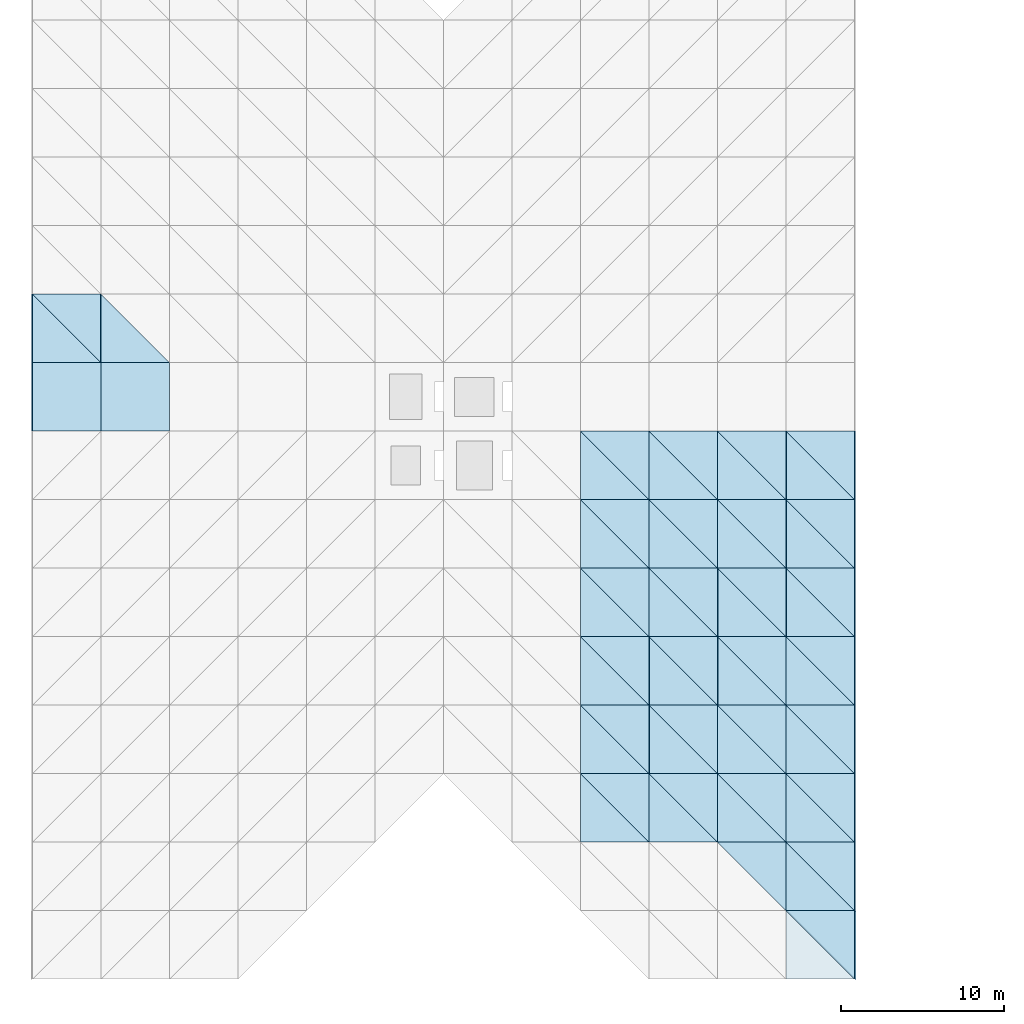
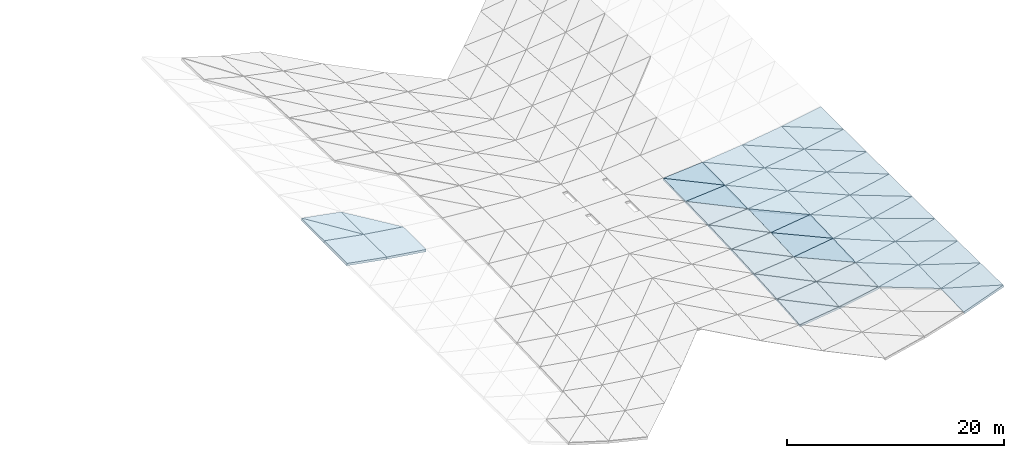
# One storey, part 7 of 31: 58 slabs.
"""IFC4 building model written with IfcOpenShell, lengths in metres."""

from ifc_helpers import new_model, si_unit, direction, frame, origin, place, context, subcontext, project, spatial, polyline, outline, extrude, material, layer, layer_set, type_object, element, save


model = new_model("IFC4")

# Units and contexts
model_context = context("Model", 3, precision=1e-05, world=origin(), true_north=direction((0.0, 1.0)))
body_context = subcontext(model_context, "Body", "Model", "MODEL_VIEW")
ifc_project = project(units=[si_unit("LENGTHUNIT", "METRE"), si_unit("AREAUNIT", "SQUARE_METRE"), si_unit("VOLUMEUNIT", "CUBIC_METRE"), si_unit("PLANEANGLEUNIT", "RADIAN"), si_unit("MASSUNIT", "GRAM", prefix="KILO")], contexts=[model_context])

# Site, building, storey
site_placement = place(None, origin())
site = spatial("IfcSite", under=ifc_project, at=site_placement, CompositionType="ELEMENT")
building_placement = place(site_placement, origin())
building = spatial("IfcBuilding", under=site, at=building_placement, Name="Cumbredor Promenade Congress Hotel", CompositionType="ELEMENT")
storey_placement = place(building_placement, frame((0.0, 0.0, 31.919921875)))
storey = spatial("IfcBuildingStorey", under=building, at=storey_placement, Name="L09", CompositionType="ELEMENT", Elevation=31.919921875)

# Slabs
ifc_material = material(Name="Concrete C40/50", Category="concrete")
ifc_layer = layer(ifc_material, 0.25, Name="Concrete C40/50", Category="concrete")
ifc_layer_set = layer_set([ifc_layer], Name="Concrete C40/50")
slab_type = type_object("IfcSlabType", Name="Catenary Space Frame Roof Deck 250mm", PredefinedType="ROOF", material=ifc_layer_set)
slab_1_placement = place(storey_placement, frame((8.39990234375, 33.60009765625, 3.525634765625), z_axis=(0.175727262996, 0.0, 0.984438890455), x_axis=(0.984438890455, 0.0, -0.175727262996)))
element("IfcSlab", 1, at=slab_1_placement, inside=storey, type_object=slab_type, Name="Plenary Congress Hall Sweeping Roof Deck Facet 4.9", PredefinedType="ROOF", context=body_context, shape_type="SweptSolid", body=[
    extrude(outline(polyline([(0.0, 0.0), (4.266588158214256, 0.0), (4.266588158214256, 4.199951171875), (0.0, 4.199951171875), (0.0, 0.0)])), origin(), (0.0, 0.0, -1.0), 0.25),
])
slab_2_placement = place(storey_placement, frame((8.39990234375, 37.800048828125, 3.525634765625), z_axis=(0.175726910534, -0.002002865318, 0.98443691593), x_axis=(0.984438890455, 0.0, -0.175727262996)))
element("IfcSlab", 2, at=slab_2_placement, inside=storey, type_object=slab_type, Name="Plenary Congress Hall Sweeping Roof Deck Facet 4.10.1", PredefinedType="ROOF", context=body_context, shape_type="SweptSolid", body=[
    extrude(outline(polyline([(0.0, 0.0), (4.266588158214256, 2.168404344971009e-19), (-0.0015015757336101292, 4.199959595888316), (0.0, 0.0)])), origin(), (0.0, 0.0, -1.0), 0.25),
])
slab_3_placement = place(storey_placement, frame((12.60009765625, 37.800048828125, 2.77587890625), z_axis=(0.18093150329, 0.003373010813, 0.983489915513), x_axis=(0.0, 0.999994118856, -0.003429614196)))
element("IfcSlab", 3, at=slab_3_placement, inside=storey, type_object=slab_type, Name="Plenary Congress Hall Sweeping Roof Deck Facet 4.10.2", PredefinedType="ROOF", context=body_context, shape_type="SweptSolid", body=[
    extrude(outline(polyline([(0.0, 0.0), (4.199975872538156, 0.0), (4.197325792232955, 4.270679896454604), (0.0, 0.0)])), origin(), (0.0, 0.0, -1.0), 0.25),
])
slab_4_placement = place(storey_placement, frame((12.60009765625, 33.60009765625, 2.77587890625), z_axis=(0.144545080344, 0.0, 0.989498216142), x_axis=(0.989498216142, 0.0, -0.144545080344)))
element("IfcSlab", 4, at=slab_4_placement, inside=storey, type_object=slab_type, Name="Plenary Congress Hall Sweeping Roof Deck Facet 5.9", PredefinedType="ROOF", context=body_context, shape_type="SweptSolid", body=[
    extrude(outline(polyline([(0.0, 0.0), (4.2445262693351005, 0.0), (4.2445262693351005, 4.199951171874999), (0.0, 4.199951171874999), (0.0, 0.0)])), origin(), (0.0, 0.0, -1.0), 0.25),
])
slab_5_placement = place(storey_placement, frame((12.60009765625, 37.800048828125, 2.77587890625), z_axis=(0.144544248015, 0.003393597546, 0.989492518345), x_axis=(0.989498216142, 0.0, -0.144545080344)))
element("IfcSlab", 5, at=slab_5_placement, inside=storey, type_object=slab_type, Name="Plenary Congress Hall Sweeping Roof Deck Facet 5.10.1", PredefinedType="ROOF", context=body_context, shape_type="SweptSolid", body=[
    extrude(outline(polyline([(0.0, 0.0), (4.2445262693351005, -4.336808689942018e-19), (0.002082070249101606, 4.199975356461764), (0.0, 0.0)])), origin(), (0.0, 0.0, -1.0), 0.25),
])
slab_6_placement = place(storey_placement, frame((42.0, 8.39990234375, 0.124267578125), z_axis=(-0.131677267955, -0.081999218886, 0.987895351343), x_axis=(0.99123343534, 0.0, 0.132122203525)))
element("IfcSlab", 6, at=slab_6_placement, inside=storey, type_object=slab_type, Name="Plenary Congress Hall Sweeping Roof Deck Facet 12.3.1", PredefinedType="ROOF", context=body_context, shape_type="SweptSolid", body=[
    extrude(outline(polyline([(0.0, 0.0), (4.237095947469426, 0.0), (0.046062135408494076, 4.214387711255366), (0.0, 0.0)])), origin(), (0.0, 0.0, -1.0), 0.25),
])
slab_7_placement = place(storey_placement, frame((46.199951171875, 8.39990234375, 0.68408203125), z_axis=(-0.117263600303, -0.067439928458, 0.99080830845), x_axis=(0.0, 0.997691557388, 0.067908440694)))
element("IfcSlab", 7, at=slab_7_placement, inside=storey, type_object=slab_type, Name="Plenary Congress Hall Sweeping Roof Deck Facet 12.3.2", PredefinedType="ROOF", context=body_context, shape_type="SweptSolid", body=[
    extrude(outline(polyline([(0.0, 0.0), (4.209913656579363, -6.938893903907228e-18), (4.176158386742171, 4.229128671896996), (0.0, 0.0)])), origin(), (0.0, 0.0, -1.0), 0.25),
])
slab_8_placement = place(storey_placement, frame((42.0, 12.60009765625, 0.472900390625), z_axis=(-0.117254845515, -0.068533038391, 0.990734335658), x_axis=(0.993069192908, 0.0, 0.117531179257)))
element("IfcSlab", 8, at=slab_8_placement, inside=storey, type_object=slab_type, Name="Plenary Congress Hall Sweeping Roof Deck Facet 12.4.1", PredefinedType="ROOF", context=body_context, shape_type="SweptSolid", body=[
    extrude(outline(polyline([(0.0, 0.0), (4.229263380507655, 0.0), (0.03414602131737491, 4.209849169843121), (0.0, 0.0)])), origin(), (0.0, 0.0, -1.0), 0.25),
])
slab_9_placement = place(storey_placement, frame((46.199951171875, 12.60009765625, 0.969970703125), z_axis=(-0.105212196304, -0.056386349857, 0.992849924862), x_axis=(0.0, 0.998391201214, 0.056701052351)))
element("IfcSlab", 9, at=slab_9_placement, inside=storey, type_object=slab_type, Name="Plenary Congress Hall Sweeping Roof Deck Facet 12.4.2", PredefinedType="ROOF", context=body_context, shape_type="SweptSolid", body=[
    extrude(outline(polyline([(0.0, 0.0), (4.206718936190888, 0.0), (4.181483091846394, 4.2233918646996464), (0.0, 0.0)])), origin(), (0.0, 0.0, -1.0), 0.25),
])
slab_10_placement = place(storey_placement, frame((42.0, 16.800048828125, 0.763427734375), z_axis=(-0.105220647526, -0.054947919059, 0.992929676022), x_axis=(0.994432042203, 0.0, 0.105379853103)))
element("IfcSlab", 10, at=slab_10_placement, inside=storey, type_object=slab_type, Name="Plenary Congress Hall Sweeping Roof Deck Facet 12.5.1", PredefinedType="ROOF", context=body_context, shape_type="SweptSolid", body=[
    extrude(outline(polyline([(0.0, 0.0), (4.223467259332188, -3.469446951953614e-18), (0.024492583045492296, 4.20630596693684), (0.0, 0.0)])), origin(), (0.0, 0.0, -1.0), 0.25),
])
slab_11_placement = place(storey_placement, frame((46.199951171875, 16.800048828125, 1.20849609375), z_axis=(-0.095492562031, -0.045145091372, 0.994405898676), x_axis=(0.0, 0.998971053032, 0.04535234508)))
element("IfcSlab", 11, at=slab_11_placement, inside=storey, type_object=slab_type, Name="Plenary Congress Hall Sweeping Roof Deck Facet 12.5.2", PredefinedType="ROOF", context=body_context, shape_type="SweptSolid", body=[
    extrude(outline(polyline([(0.0, 0.0), (4.204277150101552, 0.0), (4.185985628111122, 4.219232458733763), (0.0, 0.0)])), origin(), (0.0, 0.0, -1.0), 0.25),
])
slab_12_placement = place(storey_placement, frame((42.0, 21.0, 0.995849609375), z_axis=(-0.095508545961, -0.041279117322, 0.994572346349), x_axis=(0.995420789287, 0.0, 0.095590021735)))
element("IfcSlab", 12, at=slab_12_placement, inside=storey, type_object=slab_type, Name="Plenary Congress Hall Sweeping Roof Deck Facet 12.6.1", PredefinedType="ROOF", context=body_context, shape_type="SweptSolid", body=[
    extrude(outline(polyline([(0.0, 0.0), (4.219272107912606, 0.0), (0.016662909062153147, 4.2035340373409245), (0.0, 0.0)])), origin(), (0.0, 0.0, -1.0), 0.25),
])
slab_13_placement = place(storey_placement, frame((46.199951171875, 21.0, 1.399169921875), z_axis=(-0.088192852342, -0.033911424851, 0.995526009736), x_axis=(0.0, 0.999420332288, 0.034044080377)))
element("IfcSlab", 13, at=slab_13_placement, inside=storey, type_object=slab_type, Name="Plenary Congress Hall Sweeping Roof Deck Facet 12.6.2", PredefinedType="ROOF", context=body_context, shape_type="SweptSolid", body=[
    extrude(outline(polyline([(0.0, 0.0), (4.202387160023631, 0.0), (4.189720368399084, 4.21638064173148), (0.0, 0.0)])), origin(), (0.0, 0.0, -1.0), 0.25),
])
slab_14_placement = place(storey_placement, frame((42.0, 25.199951171875, 1.170166015625), z_axis=(-0.088210108531, -0.027551188754, 0.995720798593), x_axis=(0.996098923772, 0.0, 0.088243606338)))
element("IfcSlab", 14, at=slab_14_placement, inside=storey, type_object=slab_type, Name="Plenary Congress Hall Sweeping Roof Deck Facet 12.7.1", PredefinedType="ROOF", context=body_context, shape_type="SweptSolid", body=[
    extrude(outline(polyline([(0.0, 0.0), (4.216399668387478, 1.734723475976807e-18), (0.010254872220896265, 4.201546104200756), (0.0, 0.0)])), origin(), (0.0, 0.0, -1.0), 0.25),
])
slab_15_placement = place(storey_placement, frame((46.199951171875, 25.199951171875, 1.542236328125), z_axis=(-0.083335710744, -0.022643685129, 0.996264233443), x_axis=(0.0, 0.999741805542, 0.022722725453)))
element("IfcSlab", 15, at=slab_15_placement, inside=storey, type_object=slab_type, Name="Plenary Congress Hall Sweeping Roof Deck Facet 12.7.2", PredefinedType="ROOF", context=body_context, shape_type="SweptSolid", body=[
    extrude(outline(polyline([(0.0, 0.0), (4.201035856051706, 0.0), (4.193052945425053, 4.2146115727200835), (0.0, 0.0)])), origin(), (0.0, 0.0, -1.0), 0.25),
])
slab_16_placement = place(storey_placement, frame((42.0, 29.39990234375, 1.286376953125), z_axis=(-0.083349163733, -0.013784536426, 0.996425061638), x_axis=(0.99651974221, 0.0, 0.083357083592)))
element("IfcSlab", 16, at=slab_16_placement, inside=storey, type_object=slab_type, Name="Plenary Congress Hall Sweeping Roof Deck Facet 12.8.1", PredefinedType="ROOF", context=body_context, shape_type="SweptSolid", body=[
    extrude(outline(polyline([(0.0, 0.0), (4.214619132942873, 0.0), (0.00484350241577144, 4.200594416166595), (0.0, 0.0)])), origin(), (0.0, 0.0, -1.0), 0.25),
])
slab_17_placement = place(storey_placement, frame((46.199951171875, 29.39990234375, 1.6376953125), z_axis=(-0.080877602132, -0.011296716119, 0.99666002111), x_axis=(0.0, 0.999935769912, 0.011333845334)))
element("IfcSlab", 17, at=slab_17_placement, inside=storey, type_object=slab_type, Name="Plenary Congress Hall Sweeping Roof Deck Facet 12.8.2", PredefinedType="ROOF", context=body_context, shape_type="SweptSolid", body=[
    extrude(outline(polyline([(0.0, 0.0), (4.2004651087426685, 0.0), (4.196602304033974, 4.213755262267442), (0.0, 0.0)])), origin(), (0.0, 0.0, -1.0), 0.25),
])
slab_18_placement = place(storey_placement, frame((46.199951171875, 8.39990234375, 0.68408203125), z_axis=(-0.183020140565, -0.066761410353, 0.980839712815), x_axis=(0.983032890363, 0.0, 0.183429377322)))
element("IfcSlab", 18, at=slab_18_placement, inside=storey, type_object=slab_type, Name="Plenary Congress Hall Sweeping Roof Deck Facet 13.3.1", PredefinedType="ROOF", context=body_context, shape_type="SweptSolid", body=[
    extrude(outline(polyline([(0.0, 0.0), (4.272442166532426, 0.0), (0.052440381065357866, 4.2095870346492585), (0.0, 0.0)])), origin(), (0.0, 0.0, -1.0), 0.25),
])
slab_19_placement = place(storey_placement, frame((50.39990234375, 8.39990234375, 1.4677734375), z_axis=(-0.163375229639, -0.046569544587, 0.98546426209), x_axis=(0.0, 0.998885280546, 0.047203774302)))
element("IfcSlab", 19, at=slab_19_placement, inside=storey, type_object=slab_type, Name="Plenary Congress Hall Sweeping Roof Deck Facet 13.3.2", PredefinedType="ROOF", context=body_context, shape_type="SweptSolid", body=[
    extrude(outline(polyline([(0.0, 0.0), (4.204882576909791, 0.0), (4.172015105154897, 4.2571502245036825), (0.0, 0.0)])), origin(), (0.0, 0.0, -1.0), 0.25),
])
slab_20_placement = place(storey_placement, frame((46.199951171875, 12.60009765625, 0.969970703125), z_axis=(-0.163296574625, -0.055939955613, 0.984989822324), x_axis=(0.98653460261, 0.0, 0.163552676082)))
element("IfcSlab", 20, at=slab_20_placement, inside=storey, type_object=slab_type, Name="Plenary Congress Hall Sweeping Roof Deck Facet 13.4.1", PredefinedType="ROOF", context=body_context, shape_type="SweptSolid", body=[
    extrude(outline(polyline([(0.0, 0.0), (4.257277099824642, -6.938893903907228e-18), (0.03901146595028276, 4.206538043763707), (0.0, 0.0)])), origin(), (0.0, 0.0, -1.0), 0.25),
])
slab_21_placement = place(storey_placement, frame((50.39990234375, 12.60009765625, 1.666259765625), z_axis=(-0.146629321046, -0.038898138851, 0.988426414562), x_axis=(0.0, 0.999226545314, 0.039323162889)))
element("IfcSlab", 21, at=slab_21_placement, inside=storey, type_object=slab_type, Name="Plenary Congress Hall Sweeping Roof Deck Facet 13.4.2", PredefinedType="ROOF", context=body_context, shape_type="SweptSolid", body=[
    extrude(outline(polyline([(0.0, 0.0), (4.203202158279976, 0.0), (4.178701984526934, 4.245842318794649), (0.0, 0.0)])), origin(), (0.0, 0.0, -1.0), 0.25),
])
slab_22_placement = place(storey_placement, frame((46.199951171875, 16.800048828125, 1.20849609375), z_axis=(-0.146592635163, -0.044862401278, 0.988179115478), x_axis=(0.989175041018, 0.0, 0.14674037695)))
element("IfcSlab", 22, at=slab_22_placement, inside=storey, type_object=slab_type, Name="Plenary Congress Hall Sweeping Roof Deck Facet 13.5.1", PredefinedType="ROOF", context=body_context, shape_type="SweptSolid", body=[
    extrude(outline(polyline([(0.0, 0.0), (4.245913006007242, 0.0), (0.027979549413633405, 4.204184046837226), (0.0, 0.0)])), origin(), (0.0, 0.0, -1.0), 0.25),
])
slab_23_placement = place(storey_placement, frame((50.39990234375, 16.800048828125, 1.83154296875), z_axis=(-0.133189309052, -0.031209946176, 0.990599085006), x_axis=(0.0, 0.999504050995, 0.031490507216)))
element("IfcSlab", 23, at=slab_23_placement, inside=storey, type_object=slab_type, Name="Plenary Congress Hall Sweeping Roof Deck Facet 13.5.2", PredefinedType="ROOF", context=body_context, shape_type="SweptSolid", body=[
    extrude(outline(polyline([(0.0, 0.0), (4.202035167035372, -3.469446951953614e-18), (4.184252563717274, 4.237706529121356), (0.0, 0.0)])), origin(), (0.0, 0.0, -1.0), 0.25),
])
slab_24_placement = place(storey_placement, frame((46.199951171875, 21.0, 1.399169921875), z_axis=(-0.133178350958, -0.033740818704, 0.990517583887), x_axis=(0.991081889584, 0.0, 0.133254223717)))
element("IfcSlab", 24, at=slab_24_placement, inside=storey, type_object=slab_type, Name="Plenary Congress Hall Sweeping Roof Deck Facet 13.6.1", PredefinedType="ROOF", context=body_context, shape_type="SweptSolid", body=[
    extrude(outline(polyline([(0.0, 0.0), (4.23774383934878, 3.469446951953614e-18), (0.01906420290486114, 4.202343917256068), (0.0, 0.0)])), origin(), (0.0, 0.0, -1.0), 0.25),
])
slab_25_placement = place(storey_placement, frame((50.39990234375, 21.0, 1.9638671875), z_axis=(-0.123014035395, -0.023414767168, 0.992128668961), x_axis=(0.0, 0.999721623662, 0.02359396496)))
element("IfcSlab", 25, at=slab_25_placement, inside=storey, type_object=slab_type, Name="Plenary Congress Hall Sweeping Roof Deck Facet 13.6.2", PredefinedType="ROOF", context=body_context, shape_type="SweptSolid", body=[
    extrude(outline(polyline([(0.0, 0.0), (4.201120664460899, 0.0), (4.188834061126019, 4.232094219437486), (0.0, 0.0)])), origin(), (0.0, 0.0, -1.0), 0.25),
])
slab_26_placement = place(storey_placement, frame((46.199951171875, 25.199951171875, 1.542236328125), z_axis=(-0.12301648116, -0.022550137897, 0.992148394467), x_axis=(0.992400748769, 0.0, 0.123047770571)))
element("IfcSlab", 26, at=slab_26_placement, inside=storey, type_object=slab_type, Name="Plenary Congress Hall Sweeping Roof Deck Facet 13.7.1", PredefinedType="ROOF", context=body_context, shape_type="SweptSolid", body=[
    extrude(outline(polyline([(0.0, 0.0), (4.232112054615011, 1.734723475976807e-18), (0.011746015208269856, 4.201019435203653), (0.0, 0.0)])), origin(), (0.0, 0.0, -1.0), 0.25),
])
slab_27_placement = place(storey_placement, frame((50.39990234375, 25.199951171875, 2.06298828125), z_axis=(-0.116264124238, -0.015702006848, 0.993094205197), x_axis=(0.0, 0.999875026476, 0.015809219741)))
element("IfcSlab", 27, at=slab_27_placement, inside=storey, type_object=slab_type, Name="Plenary Congress Hall Sweeping Roof Deck Facet 13.7.2", PredefinedType="ROOF", context=body_context, shape_type="SweptSolid", body=[
    extrude(outline(polyline([(0.0, 0.0), (4.2004761201765275, 0.0), (4.192702739180912, 4.228628328713869), (0.0, 0.0)])), origin(), (0.0, 0.0, -1.0), 0.25),
])
slab_28_placement = place(storey_placement, frame((46.199951171875, 29.39990234375, 1.6376953125), z_axis=(-0.116271091919, -0.011256973705, 0.993153721096), x_axis=(0.993216653027, 0.0, 0.116278459524)))
element("IfcSlab", 28, at=slab_28_placement, inside=storey, type_object=slab_type, Name="Plenary Congress Hall Sweeping Roof Deck Facet 13.8.1", PredefinedType="ROOF", context=body_context, shape_type="SweptSolid", body=[
    extrude(outline(polyline([(0.0, 0.0), (4.228635473513123, 8.673617379884035e-19), (0.005535717677549422, 4.2004614610295326), (0.0, 0.0)])), origin(), (0.0, 0.0, -1.0), 0.25),
])
slab_29_placement = place(storey_placement, frame((50.39990234375, 29.39990234375, 2.12939453125), z_axis=(-0.112855715689, -0.007796640756, 0.99358079683), x_axis=(0.0, 0.999969213621, 0.007846770742)))
element("IfcSlab", 29, at=slab_29_placement, inside=storey, type_object=slab_type, Name="Plenary Congress Hall Sweeping Roof Deck Facet 13.8.2", PredefinedType="ROOF", context=body_context, shape_type="SweptSolid", body=[
    extrude(outline(polyline([(0.0, 0.0), (4.20032462528767, 0.0), (4.196581317175092, 4.226955557096597), (0.0, 0.0)])), origin(), (0.0, 0.0, -1.0), 0.25),
])
slab_30_placement = place(storey_placement, frame((54.60009765625, 4.199951171875, 2.375), z_axis=(-0.233152145814, -0.023169640453, 0.972164206636), x_axis=(0.0, 0.99971611374, 0.023826286498)))
element("IfcSlab", 30, at=slab_30_placement, inside=storey, type_object=slab_type, Name="Plenary Congress Hall Sweeping Roof Deck Facet 14.2.2", PredefinedType="ROOF", context=body_context, shape_type="SweptSolid", body=[
    extrude(outline(polyline([(0.0, 0.0), (4.201143818880869, 0.0), (4.1771430234480675, 4.3192321894806565), (0.0, 0.0)])), origin(), (0.0, 0.0, -1.0), 0.25),
])
slab_31_placement = place(storey_placement, frame((50.39990234375, 8.39990234375, 1.4677734375), z_axis=(-0.23296890093, -0.045904924008, 0.971400138538), x_axis=(0.972425256289, 0.0, 0.233214752816)))
element("IfcSlab", 31, at=slab_31_placement, inside=storey, type_object=slab_type, Name="Plenary Congress Hall Sweeping Roof Deck Facet 14.3.1", PredefinedType="ROOF", context=body_context, shape_type="SweptSolid", body=[
    extrude(outline(polyline([(0.0, 0.0), (4.319298871903549, -6.938893903907228e-18), (0.046289939951054286, 4.204627775090067), (0.0, 0.0)])), origin(), (0.0, 0.0, -1.0), 0.25),
])
slab_32_placement = place(storey_placement, frame((54.60009765625, 8.39990234375, 2.47509765625), z_axis=(-0.208314728917, -0.020007308207, 0.977857188619), x_axis=(0.0, 0.999790752569, 0.020456076779)))
element("IfcSlab", 32, at=slab_32_placement, inside=storey, type_object=slab_type, Name="Plenary Congress Hall Sweeping Roof Deck Facet 14.3.2", PredefinedType="ROOF", context=body_context, shape_type="SweptSolid", body=[
    extrude(outline(polyline([(0.0, 0.0), (4.201074376520038, 0.0), (4.182770782429534, 4.294406669291867), (0.0, 0.0)])), origin(), (0.0, 0.0, -1.0), 0.25),
])
slab_33_placement = place(storey_placement, frame((50.39990234375, 12.60009765625, 1.666259765625), z_axis=(-0.208202268908, -0.038461426892, 0.977329286302), x_axis=(0.978052961788, 0.0, 0.208356434838)))
element("IfcSlab", 33, at=slab_33_placement, inside=storey, type_object=slab_type, Name="Plenary Congress Hall Sweeping Roof Deck Facet 14.4.1", PredefinedType="ROOF", context=body_context, shape_type="SweptSolid", body=[
    extrude(outline(polyline([(0.0, 0.0), (4.294445675848641, 0.0), (0.034437818941718885, 4.203061077357309), (0.0, 0.0)])), origin(), (0.0, 0.0, -1.0), 0.25),
])
slab_34_placement = place(storey_placement, frame((54.60009765625, 12.60009765625, 2.56103515625), z_axis=(-0.187308905961, -0.016728040133, 0.982158615714), x_axis=(0.0, 0.999854988518, 0.017029443215)))
element("IfcSlab", 34, at=slab_34_placement, inside=storey, type_object=slab_type, Name="Plenary Congress Hall Sweeping Roof Deck Facet 14.4.2", PredefinedType="ROOF", context=body_context, shape_type="SweptSolid", body=[
    extrude(outline(polyline([(0.0, 0.0), (4.200560301350703, 0.0), (4.186919284946907, 4.27587374255185), (0.0, 0.0)])), origin(), (0.0, 0.0, -1.0), 0.25),
])
slab_35_placement = place(storey_placement, frame((50.39990234375, 16.800048828125, 1.83154296875), z_axis=(-0.18724546811, -0.030933539499, 0.981825977863), x_axis=(0.98229606197, 0.0, 0.187335118538)))
element("IfcSlab", 35, at=slab_35_placement, inside=storey, type_object=slab_type, Name="Plenary Congress Hall Sweeping Roof Deck Facet 14.5.1", PredefinedType="ROOF", context=body_context, shape_type="SweptSolid", body=[
    extrude(outline(polyline([(0.0, 0.0), (4.275895501479533, 0.0), (0.024788973204955687, 4.20196204787828), (0.0, 0.0)])), origin(), (0.0, 0.0, -1.0), 0.25),
])
slab_36_placement = place(storey_placement, frame((54.60009765625, 16.800048828125, 2.632568359375), z_axis=(-0.170324946119, -0.013459545745, 0.985296023212), x_axis=(0.0, 0.999906709682, 0.013659133685)))
element("IfcSlab", 36, at=slab_36_placement, inside=storey, type_object=slab_type, Name="Plenary Congress Hall Sweeping Roof Deck Facet 14.5.2", PredefinedType="ROOF", context=body_context, shape_type="SweptSolid", body=[
    extrude(outline(polyline([(0.0, 0.0), (4.200343023211546, 1.734723475976807e-18), (4.190425478392736, 4.262478865236186), (0.0, 0.0)])), origin(), (0.0, 0.0, -1.0), 0.25),
])
slab_37_placement = place(storey_placement, frame((50.39990234375, 21.0, 1.9638671875), z_axis=(-0.170294332802, -0.02324933361, 0.985118931247), x_axis=(0.985385283144, 0.0, 0.170340376196)))
element("IfcSlab", 37, at=slab_37_placement, inside=storey, type_object=slab_type, Name="Plenary Congress Hall Sweeping Roof Deck Facet 14.6.1", PredefinedType="ROOF", context=body_context, shape_type="SweptSolid", body=[
    extrude(outline(polyline([(0.0, 0.0), (4.2624904028373365, 0.0), (0.01688432439830721, 4.201086735232921), (0.0, 0.0)])), origin(), (0.0, 0.0, -1.0), 0.25),
])
slab_38_placement = place(storey_placement, frame((54.60009765625, 21.0, 2.68994140625), z_axis=(-0.157498883251, -0.010102556409, 0.987467488138), x_axis=(0.0, 0.999947669743, 0.010230238323)))
element("IfcSlab", 38, at=slab_38_placement, inside=storey, type_object=slab_type, Name="Plenary Congress Hall Sweeping Roof Deck Facet 14.6.2", PredefinedType="ROOF", context=body_context, shape_type="SweptSolid", body=[
    extrude(outline(polyline([(0.0, 0.0), (4.2001709679024675, 0.0), (4.193317507463266, 4.253279794679689), (0.0, 0.0)])), origin(), (0.0, 0.0, -1.0), 0.25),
])
slab_39_placement = place(storey_placement, frame((50.39990234375, 25.199951171875, 2.06298828125), z_axis=(-0.157487725214, -0.015611935615, 0.987397530822), x_axis=(0.987517883274, 0.0, 0.157506921164)))
element("IfcSlab", 39, at=slab_39_placement, inside=storey, type_object=slab_type, Name="Plenary Congress Hall Sweeping Roof Deck Facet 14.7.1", PredefinedType="ROOF", context=body_context, shape_type="SweptSolid", body=[
    extrude(outline(polyline([(0.0, 0.0), (4.2532853162879265, 0.0), (0.010459443983538113, 4.200463097826811), (0.0, 0.0)])), origin(), (0.0, 0.0, -1.0), 0.25),
])
slab_40_placement = place(storey_placement, frame((54.60009765625, 25.199951171875, 2.73291015625), z_axis=(-0.148809268192, -0.006725259348, 0.988843047499), x_axis=(0.0, 0.999976873054, 0.006800982047)))
element("IfcSlab", 40, at=slab_40_placement, inside=storey, type_object=slab_type, Name="Plenary Congress Hall Sweeping Roof Deck Facet 14.7.2", PredefinedType="ROOF", context=body_context, shape_type="SweptSolid", body=[
    extrude(outline(polyline([(0.0, 0.0), (4.200048306164646, 0.0), (4.195749540901317, 4.247487187611834), (0.0, 0.0)])), origin(), (0.0, 0.0, -1.0), 0.25),
])
slab_41_placement = place(storey_placement, frame((50.39990234375, 29.39990234375, 2.12939453125), z_axis=(-0.148808153611, -0.007759405461, 0.988835641068), x_axis=(0.988865410505, 0.0, 0.148812633562)))
element("IfcSlab", 41, at=slab_41_placement, inside=storey, type_object=slab_type, Name="Plenary Congress Hall Sweeping Roof Deck Facet 14.8.1", PredefinedType="ROOF", context=body_context, shape_type="SweptSolid", body=[
    extrude(outline(polyline([(0.0, 0.0), (4.247489362942476, -8.673617379884035e-19), (0.004904713264364401, 4.200321761673242), (0.0, 0.0)])), origin(), (0.0, 0.0, -1.0), 0.25),
])
slab_42_placement = place(storey_placement, frame((54.60009765625, 29.39990234375, 2.761474609375), z_axis=(-0.144536021854, -0.003393404413, 0.989493720644), x_axis=(0.0, 0.99999411954, 0.003429414848)))
element("IfcSlab", 42, at=slab_42_placement, inside=storey, type_object=slab_type, Name="Plenary Congress Hall Sweeping Roof Deck Facet 14.8.2", PredefinedType="ROOF", context=body_context, shape_type="SweptSolid", body=[
    extrude(outline(polyline([(0.0, 0.0), (4.200220011727414, -4.336808689942018e-19), (4.1981159786429, 4.244767324734456), (0.0, 0.0)])), origin(), (0.0, 0.0, -1.0), 0.25),
])
slab_43_placement = place(storey_placement, frame((54.60009765625, 0.0, 2.26025390625), z_axis=(-0.351098055303, -0.02557199535, 0.935989438304), x_axis=(0.936295622836, 0.0, 0.351212907874)))
element("IfcSlab", 43, at=slab_43_placement, inside=storey, type_object=slab_type, Name="Plenary Congress Hall Sweeping Roof Deck Facet 15.1.1", PredefinedType="ROOF", context=body_context, shape_type="SweptSolid", body=[
    extrude(outline(polyline([(0.0, 0.0), (4.485710569864822, 0.0), (0.040300309253162026, 4.201325076358549), (0.0, 0.0)])), origin(), (0.0, 0.0, -1.0), 0.25),
])
slab_44_placement = place(storey_placement, frame((58.800048828125, 0.0, 3.835693359375), z_axis=(-0.314533857634, 0.015558419199, 0.949118742831), x_axis=(0.0, 0.999865670213, -0.016390287682)))
element("IfcSlab", 44, at=slab_44_placement, inside=storey, type_object=slab_type, Name="Plenary Congress Hall Sweeping Roof Deck Facet 15.1.2", PredefinedType="ROOF", context=body_context, shape_type="SweptSolid", body=[
    extrude(outline(polyline([(0.0, 0.0), (4.20051542621918, 0.0), (4.223328177702881, 4.424511711569025), (0.0, 0.0)])), origin(), (0.0, 0.0, -1.0), 0.25),
])
slab_45_placement = place(storey_placement, frame((54.60009765625, 4.199951171875, 2.375), z_axis=(-0.314491464221, -0.022617347892, 0.948990818979), x_axis=(0.949233637624, 0.0, 0.314571933273)))
element("IfcSlab", 45, at=slab_45_placement, inside=storey, type_object=slab_type, Name="Plenary Congress Hall Sweeping Roof Deck Facet 15.2.1", PredefinedType="ROOF", context=body_context, shape_type="SweptSolid", body=[
    extrude(outline(polyline([(0.0, 0.0), (4.424570522371828, 3.469446951953614e-18), (0.03148791324265341, 4.201025814993352), (0.0, 0.0)])), origin(), (0.0, 0.0, -1.0), 0.25),
])
slab_46_placement = place(storey_placement, frame((58.800048828125, 4.199951171875, 3.766845703125), z_axis=(-0.281333183711, 0.013776624976, 0.959511252851), x_axis=(0.0, 0.999896940415, -0.014356481095)))
element("IfcSlab", 46, at=slab_46_placement, inside=storey, type_object=slab_type, Name="Plenary Congress Hall Sweeping Roof Deck Facet 15.2.2", PredefinedType="ROOF", context=body_context, shape_type="SweptSolid", body=[
    extrude(outline(polyline([(0.0, 0.0), (4.200384061714749, -3.469446951953614e-18), (4.2180632830635485, 4.3767264992166135), (0.0, 0.0)])), origin(), (0.0, 0.0, -1.0), 0.25),
])
slab_47_placement = place(storey_placement, frame((54.60009765625, 8.39990234375, 2.47509765625), z_axis=(-0.281305670855, -0.019630023895, 0.959417417867), x_axis=(0.959602321223, 0.0, 0.281359885383)))
element("IfcSlab", 47, at=slab_47_placement, inside=storey, type_object=slab_type, Name="Plenary Congress Hall Sweeping Roof Deck Facet 15.3.1", PredefinedType="ROOF", context=body_context, shape_type="SweptSolid", body=[
    extrude(outline(polyline([(0.0, 0.0), (4.376762205536464, 3.469446951953614e-18), (0.024179365150133258, 4.201004793540965), (0.0, 0.0)])), origin(), (0.0, 0.0, -1.0), 0.25),
])
slab_48_placement = place(storey_placement, frame((58.800048828125, 8.39990234375, 3.70654296875), z_axis=(-0.251996346228, 0.011924133956, 0.967654719679), x_axis=(0.0, 0.999924083985, -0.012321780156)))
element("IfcSlab", 48, at=slab_48_placement, inside=storey, type_object=slab_type, Name="Plenary Congress Hall Sweeping Roof Deck Facet 15.3.2", PredefinedType="ROOF", context=body_context, shape_type="SweptSolid", body=[
    extrude(outline(polyline([(0.0, 0.0), (4.20051419879778, 0.0), (4.2139911458434725, 4.340011207420151), (0.0, 0.0)])), origin(), (0.0, 0.0, -1.0), 0.25),
])
slab_49_placement = place(storey_placement, frame((54.60009765625, 12.60009765625, 2.56103515625), z_axis=(-0.251980038765, -0.0164799445, 0.967592099747), x_axis=(0.967723519995, 0.0, 0.252014263185)))
element("IfcSlab", 49, at=slab_49_placement, inside=storey, type_object=slab_type, Name="Plenary Congress Hall Sweeping Roof Deck Facet 15.4.1", PredefinedType="ROOF", context=body_context, shape_type="SweptSolid", body=[
    extrude(outline(polyline([(0.0, 0.0), (4.340032132212178, -6.938893903907228e-18), (0.018027387478831633, 4.20052161744041), (0.0, 0.0)])), origin(), (0.0, 0.0, -1.0), 0.25),
])
slab_50_placement = place(storey_placement, frame((58.800048828125, 12.60009765625, 3.65478515625), z_axis=(-0.227001669746, 0.01001977445, 0.973842824101), x_axis=(0.0, 0.999947073439, -0.010288358542)))
element("IfcSlab", 50, at=slab_50_placement, inside=storey, type_object=slab_type, Name="Plenary Congress Hall Sweeping Roof Deck Facet 15.4.2", PredefinedType="ROOF", context=body_context, shape_type="SweptSolid", body=[
    extrude(outline(polyline([(0.0, 0.0), (4.200173472614002, 1.734723475976807e-18), (4.210245815815555, 4.312532555528059), (0.0, 0.0)])), origin(), (0.0, 0.0, -1.0), 0.25),
])
slab_51_placement = place(storey_placement, frame((54.60009765625, 16.800048828125, 2.632568359375), z_axis=(-0.226992978768, -0.01330258105, 0.973805539586), x_axis=(0.973891712686, 0.0, 0.22701306562)))
element("IfcSlab", 51, at=slab_51_placement, inside=storey, type_object=slab_type, Name="Plenary Congress Hall Sweeping Roof Deck Facet 15.5.1", PredefinedType="ROOF", context=body_context, shape_type="SweptSolid", body=[
    extrude(outline(polyline([(0.0, 0.0), (4.312544317985259, -1.734723475976807e-18), (0.013024431255081041, 4.2003228300729925), (0.0, 0.0)])), origin(), (0.0, 0.0, -1.0), 0.25),
])
slab_52_placement = place(storey_placement, frame((58.800048828125, 16.800048828125, 3.611572265625), z_axis=(-0.206729047789, 0.00796205411, 0.978365834693), x_axis=(0.0, 0.999966887183, -0.008137845969)))
element("IfcSlab", 52, at=slab_52_placement, inside=storey, type_object=slab_type, Name="Plenary Congress Hall Sweeping Roof Deck Facet 15.5.2", PredefinedType="ROOF", context=body_context, shape_type="SweptSolid", body=[
    extrude(outline(polyline([(0.0, 0.0), (4.2000902486936855, 8.673617379884035e-19), (4.207312189635462, 4.29268066272877), (0.0, 0.0)])), origin(), (0.0, 0.0, -1.0), 0.25),
])
slab_53_placement = place(storey_placement, frame((54.60009765625, 21.0, 2.68994140625), z_axis=(-0.20672524464, -0.010009255311, 0.978347835913), x_axis=(0.978396847579, 0.0, 0.206735600823)))
element("IfcSlab", 53, at=slab_53_placement, inside=storey, type_object=slab_type, Name="Plenary Congress Hall Sweeping Roof Deck Facet 15.6.1", PredefinedType="ROOF", context=body_context, shape_type="SweptSolid", body=[
    extrude(outline(polyline([(0.0, 0.0), (4.292686737766512, 0.0), (0.008883170347842424, 4.200161574141561), (0.0, 0.0)])), origin(), (0.0, 0.0, -1.0), 0.25),
])
slab_54_placement = place(storey_placement, frame((58.800048828125, 21.0, 3.577392578125), z_axis=(-0.191304431387, 0.006047798905, 0.981512118448), x_axis=(0.0, 0.999981017169, -0.006161599013)))
element("IfcSlab", 54, at=slab_54_placement, inside=storey, type_object=slab_type, Name="Plenary Congress Hall Sweeping Roof Deck Facet 15.6.2", PredefinedType="ROOF", context=body_context, shape_type="SweptSolid", body=[
    extrude(outline(polyline([(0.0, 0.0), (4.200030900353339, 0.0), (4.205074806967216, 4.2789807338820625), (0.0, 0.0)])), origin(), (0.0, 0.0, -1.0), 0.25),
])
slab_55_placement = place(storey_placement, frame((54.60009765625, 25.199951171875, 2.73291015625), z_axis=(-0.191303667599, -0.006675374026, 0.981508199734), x_axis=(0.981530068771, 0.0, 0.191307930046)))
element("IfcSlab", 55, at=slab_55_placement, inside=storey, type_object=slab_type, Name="Plenary Congress Hall Sweeping Roof Deck Facet 15.7.1", PredefinedType="ROOF", context=body_context, shape_type="SweptSolid", body=[
    extrude(outline(polyline([(0.0, 0.0), (4.2789837066677165, 0.0), (0.005464606400252019, 4.200044751213183), (0.0, 0.0)])), origin(), (0.0, 0.0, -1.0), 0.25),
])
slab_56_placement = place(storey_placement, frame((58.800048828125, 25.199951171875, 3.551513671875), z_axis=(-0.180941215122, 0.004059028838, 0.983485536729), x_axis=(0.0, 0.999991483272, -0.004127151968)))
element("IfcSlab", 56, at=slab_56_placement, inside=storey, type_object=slab_type, Name="Plenary Congress Hall Sweeping Roof Deck Facet 15.7.2", PredefinedType="ROOF", context=body_context, shape_type="SweptSolid", body=[
    extrude(outline(polyline([(0.0, 0.0), (4.199986942021189, -4.336808689942018e-19), (4.203176013305362, 4.270439416935767), (0.0, 0.0)])), origin(), (0.0, 0.0, -1.0), 0.25),
])
slab_57_placement = place(storey_placement, frame((54.60009765625, 29.39990234375, 2.761474609375), z_axis=(-0.180941676518, -0.003372808337, 0.983488044596), x_axis=(0.983493638643, 0.0, 0.180942705709)))
element("IfcSlab", 57, at=slab_57_placement, inside=storey, type_object=slab_type, Name="Plenary Congress Hall Sweeping Roof Deck Facet 15.8.1", PredefinedType="ROOF", context=body_context, shape_type="SweptSolid", body=[
    extrude(outline(polyline([(0.0, 0.0), (4.2704406077001416, 0.0), (0.0026063524503919543, 4.200219203070519), (0.0, 0.0)])), origin(), (0.0, 0.0, -1.0), 0.25),
])
slab_58_placement = place(storey_placement, frame((58.800048828125, 29.39990234375, 3.5341796875), z_axis=(-0.175736810012, 0.002002745304, 0.984435149016), x_axis=(0.0, 0.999997930593, -0.002034406392)))
element("IfcSlab", 58, at=slab_58_placement, inside=storey, type_object=slab_type, Name="Plenary Congress Hall Sweeping Roof Deck Facet 15.8.2", PredefinedType="ROOF", context=body_context, shape_type="SweptSolid", body=[
    extrude(outline(polyline([(0.0, 0.0), (4.200204004430835, -4.336808689942018e-19), (4.2017293125437085, 4.266347544239274), (0.0, 0.0)])), origin(), (0.0, 0.0, -1.0), 0.25),
])

save(model, "model.ifc")
